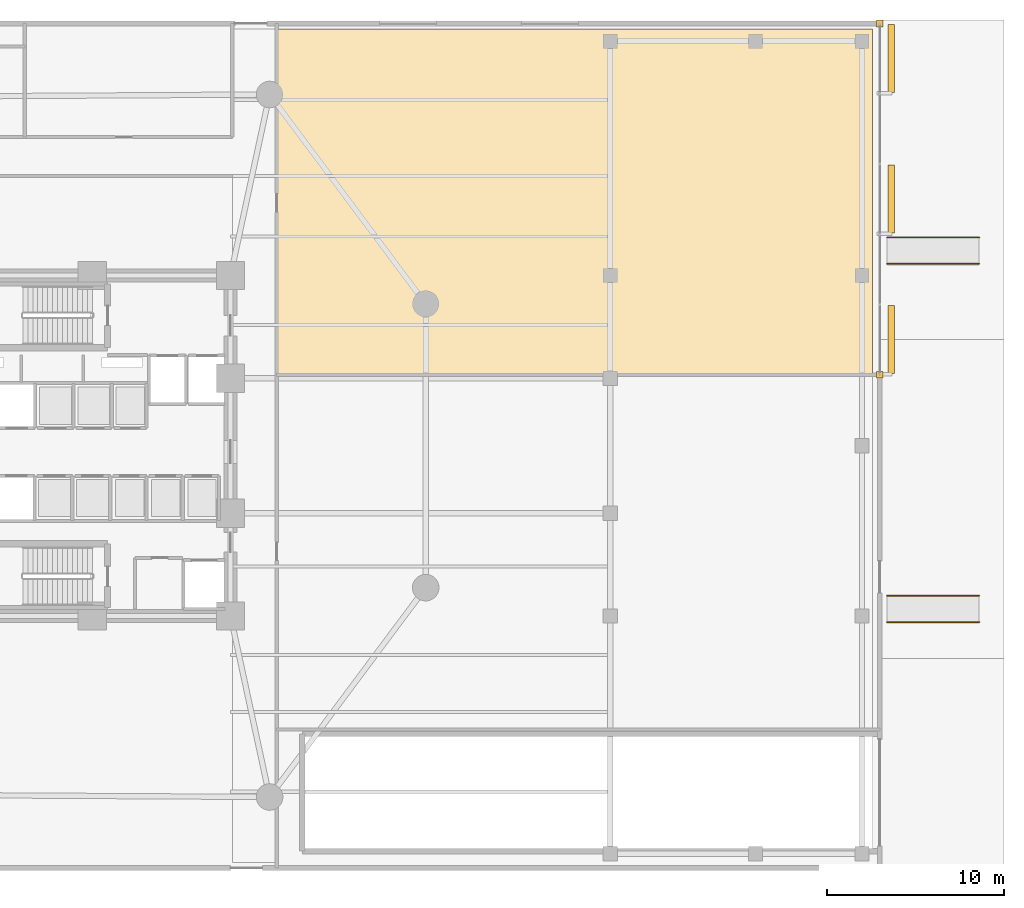
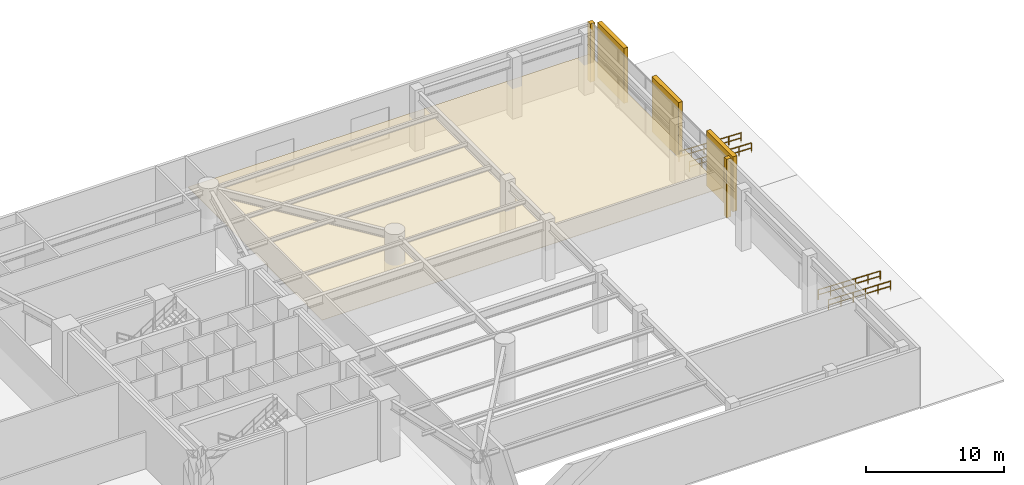
# One storey, part 15 of 16: 4 railings, 3 coverings, 3 shading devices.
"""IFC4 building model written with IfcOpenShell, lengths in metres."""

from ifc_helpers import new_model, si_unit, direction, frame, origin, origin_2d, place, context, subcontext, project, spatial, polyline, rectangle, circle, outline, extrude, material, layer, layer_set, type_object, element, save


model = new_model("IFC4")

# Units and contexts
model_context = context("Model", 3, precision=1e-05, world=origin(), true_north=direction((0.0, 1.0)))
body_context = subcontext(model_context, "Body", "Model", "MODEL_VIEW")
ifc_project = project(units=[si_unit("LENGTHUNIT", "METRE"), si_unit("AREAUNIT", "SQUARE_METRE"), si_unit("VOLUMEUNIT", "CUBIC_METRE"), si_unit("PLANEANGLEUNIT", "RADIAN"), si_unit("MASSUNIT", "GRAM", prefix="KILO")], contexts=[model_context])

# Site, building, storey
site_placement = place(None, origin())
site = spatial("IfcSite", under=ifc_project, at=site_placement, CompositionType="ELEMENT")
building_placement = place(site_placement, origin())
building = spatial("IfcBuilding", under=site, at=building_placement, Name="An Khanh Terracotta Commons", CompositionType="ELEMENT")
storey_placement = place(building_placement, origin())
storey = spatial("IfcBuildingStorey", under=building, at=storey_placement, Name="L01", CompositionType="ELEMENT", Elevation=0.0)

# Coverings
ifc_material_1 = material(Name="Perforated Mineral-Fibre Acoustic Tile")
ifc_layer_1 = layer(ifc_material_1, 0.02001953125, Name="Perforated Mineral-Fibre Acoustic Tile")
ifc_layer_set_1 = layer_set([ifc_layer_1], Name="Perforated Mineral-Fibre Acoustic Tile")
covering_type_1 = type_object("IfcCoveringType", Name="CEIL-ACOUSTIC-18", PredefinedType="CEILING", material=ifc_layer_set_1)
covering_placement = place(storey_placement, frame((0.0, 0.0, 2.64990234375)))
element("IfcCovering", 1, at=covering_placement, inside=storey, type_object=covering_type_1, Name="L01 Student Academic Commons Hall Ceiling", PredefinedType="CEILING", context=body_context, shape_type="SweptSolid", body=[
    extrude(outline(polyline([(39.800048828125, 39.199951171875), (39.800048828125, 41.39990234375), (39.800048828125, 47.47998046875), (73.39990234375, 47.47998046875), (73.39990234375, 28.0), (39.800048828125, 28.0), (39.800048828125, 39.199951171875)])), origin(), (0.0, 0.0, 1.0), 0.02001953125),
])
ifc_material_2 = material(Name="Fired Terracotta Rainscreen Cladding", Category="masonry")
ifc_layer_2 = layer(ifc_material_2, 0.080078125, Name="Fired Terracotta Rainscreen Cladding")
ifc_layer_set_2 = layer_set([ifc_layer_2], Name="Fired Terracotta Rainscreen Cladding")
covering_type_2 = type_object("IfcCoveringType", Name="COV-JAMB-TERRA", PredefinedType="CLADDING", material=ifc_layer_set_2)
for number, where, z_axis, x_axis, name in (
    (2, (73.800048828125, 28.0, 0.0), (0.0, 0.0, 1.0), (1.0, 0.0, 0.0), "L01 CW-01 Curtain-Wall Jamb Closure JA"),
    (3, (73.800048828125, 47.800048828125, 0.0), (0.0, 0.0, 1.0), (1.0, 0.0, 0.0), "L01 CW-01 Curtain-Wall Jamb Closure JB"),
):
    element("IfcCovering", number, at=place(storey_placement, frame(where, z_axis=z_axis, x_axis=x_axis)), inside=storey, type_object=covering_type_2, Name=name, PredefinedType="CLADDING", context=body_context, shape_type="SweptSolid", body=[
        extrude(rectangle(XDim=0.3798828125, YDim=0.3798828125, at=origin_2d()), origin(), (0.0, 0.0, 1.0), 5.179931640625),
    ])

# Railings
ifc_material_3 = material(Name="Brushed Stainless Steel 316", Category="steel")
railing_type = type_object("IfcRailingType", Name="RAIL-HANDRAIL-900", PredefinedType="HANDRAIL", material=ifc_material_3)
for number, where, name in (
    (4, (79.39990234375, 14.06005859375, -0.159912109375), "East Riverfront Plaza Step-Free Ramp South Handrail 1"),
    (5, (79.39990234375, 15.5400390625, -0.159912109375), "East Riverfront Plaza Step-Free Ramp South Handrail 2"),
    (6, (79.39990234375, 34.260009765625, -0.159912109375), "East Riverfront Plaza Step-Free Ramp North Handrail 1"),
    (7, (79.39990234375, 35.739990234375, -0.159912109375), "East Riverfront Plaza Step-Free Ramp North Handrail 2"),
):
    element("IfcRailing", number, at=place(storey_placement, frame(where)), inside=storey, type_object=railing_type, Name=name, PredefinedType="HANDRAIL", context=body_context, shape_type="SweptSolid", body=[
        extrude(circle(Radius=0.02392578125, at=origin_2d()), frame((0.0, 0.0, 0.8759765625), z_axis=(-0.999527473392, 0.0, 0.030738086064), x_axis=(0.0, -1.0, 0.0)), (0.0, 0.0, 1.0), 5.202392578125),
        extrude(circle(Radius=0.02392578125, at=origin_2d()), frame((0.0, 0.0, 0.42578125), z_axis=(-0.999527473392, 0.0, 0.030738086064), x_axis=(0.0, -1.0, 0.0)), (0.0, 0.0, 1.0), 5.202392578125),
        extrude(circle(Radius=0.02099609375, at=origin_2d()), origin(), (0.0, 0.0, 1.0), 0.851806640625),
        extrude(circle(Radius=0.02099609375, at=origin_2d()), frame((-1.0400390625, 0.0, 0.031982421875)), (0.0, 0.0, 1.0), 0.851806640625),
        extrude(circle(Radius=0.02099609375, at=origin_2d()), frame((-2.080078125, 0.0, 0.06396484375)), (0.0, 0.0, 1.0), 0.851806640625),
        extrude(circle(Radius=0.02099609375, at=origin_2d()), frame((-3.119873046875, 0.0, 0.095947265625)), (0.0, 0.0, 1.0), 0.851806640625),
        extrude(circle(Radius=0.02099609375, at=origin_2d()), frame((-4.159912109375, 0.0, 0.1279296875)), (0.0, 0.0, 1.0), 0.851806640625),
        extrude(circle(Radius=0.02099609375, at=origin_2d()), frame((-5.199951171875, 0.0, 0.159912109375)), (0.0, 0.0, 1.0), 0.851806640625),
    ])

# Shading devices
ifc_material_4 = material(Name="Extruded Fired Terracotta", Category="masonry")
shading_device_type = type_object("IfcShadingDeviceType", Name="Terracotta Baguette Screen Assembly", PredefinedType="USERDEFINED", material=ifc_material_4)
for number, where, z_axis, x_axis, name in (
    (8, (74.449951171875, 29.97998046875, 0.150146484375), (0.0, 0.0, 1.0), (0.0, 1.0, 0.0), "L01 Terracotta Baguette Screen 1"),
    (9, (74.449951171875, 37.89990234375, 0.150146484375), (0.0, 0.0, 1.0), (0.0, 1.0, 0.0), "L01 Terracotta Baguette Screen 3"),
    (10, (74.449951171875, 45.820068359375, 0.150146484375), (0.0, 0.0, 1.0), (0.0, 1.0, 0.0), "L01 Terracotta Baguette Screen 5"),
):
    element("IfcShadingDevice", number, at=place(storey_placement, frame(where, z_axis=z_axis, x_axis=x_axis)), inside=storey, type_object=shading_device_type, Name=name, ObjectType="BAGUETTE", PredefinedType="USERDEFINED", context=body_context, shape_type="SweptSolid", body=[
        extrude(rectangle(XDim=3.840087890625, YDim=0.35009765625, at=origin_2d()), origin(), (0.0, 0.0, 1.0), 4.8798828125),
    ])

save(model, "model.ifc")
